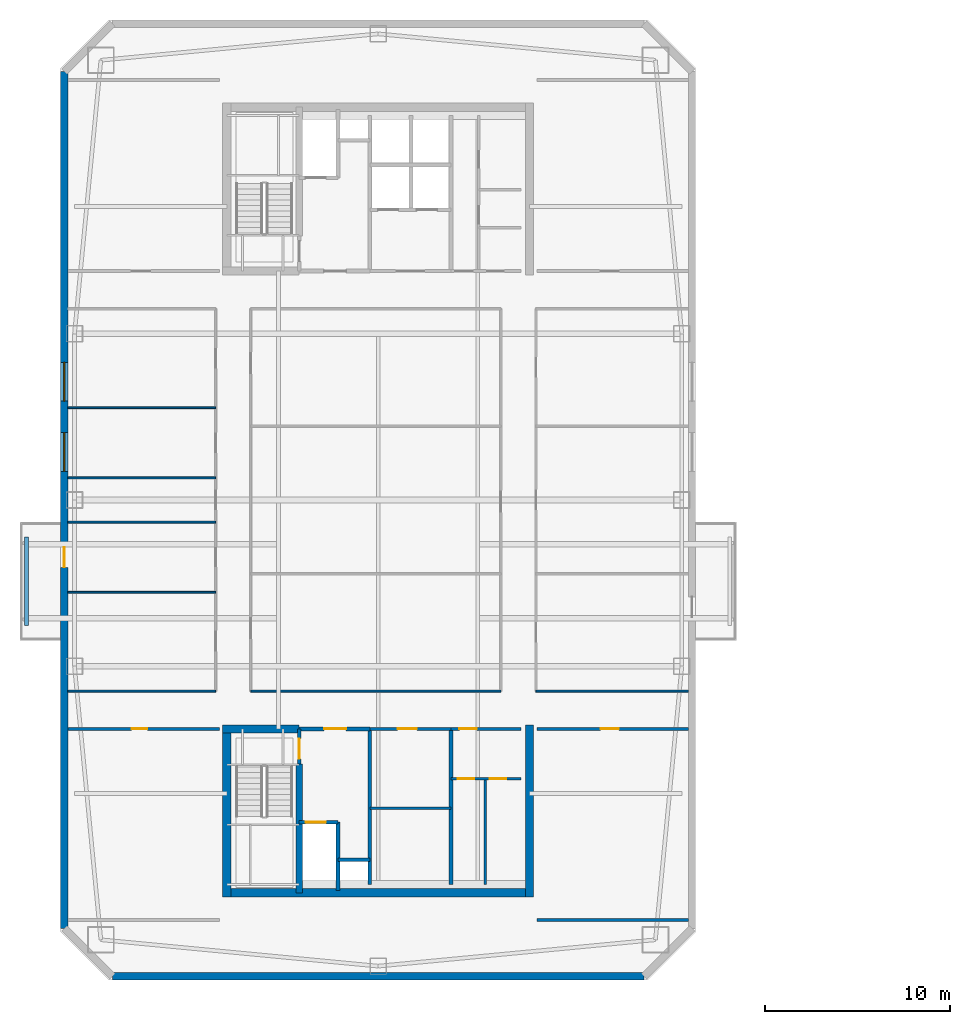
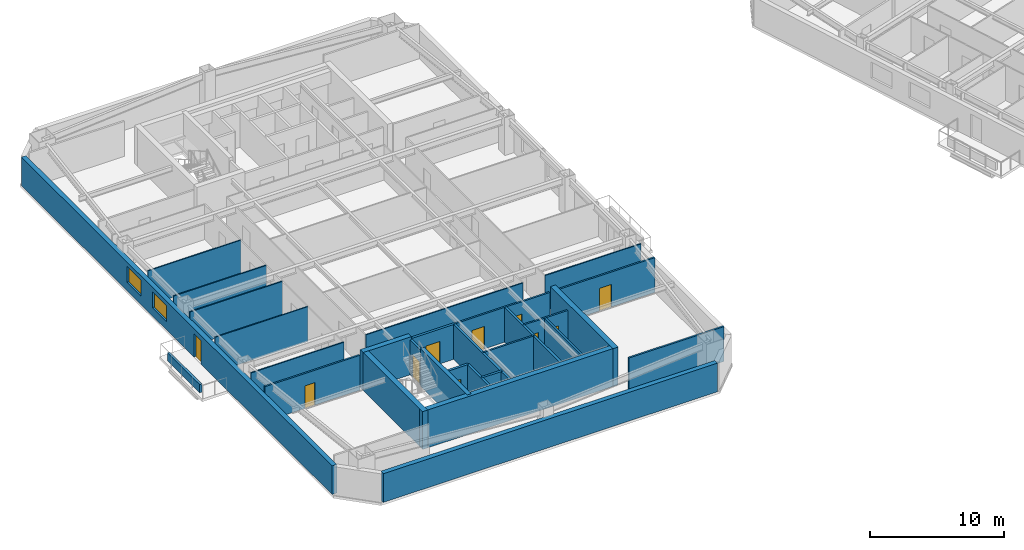
# One storey, part 5 of 15: 30 walls, 10 doors, 2 windows, 12 openings.
"""IFC4 building model written with IfcOpenShell, lengths in metres."""

from ifc_helpers import new_model, si_unit, direction, frame, frame_2d, origin, place, context, subcontext, project, spatial, rectangle, extrude, material, layer, layer_set, type_object, element, fill, save


model = new_model("IFC4")

# Units and contexts
model_context = context("Model", 3, precision=1e-05, world=origin(), true_north=direction((0.0, 1.0)))
body_context = subcontext(model_context, "Body", "Model", "MODEL_VIEW")
ifc_project = project(units=[si_unit("LENGTHUNIT", "METRE"), si_unit("AREAUNIT", "SQUARE_METRE"), si_unit("VOLUMEUNIT", "CUBIC_METRE"), si_unit("PLANEANGLEUNIT", "RADIAN"), si_unit("MASSUNIT", "GRAM", prefix="KILO")], contexts=[model_context])

# Site, building, storey
site_placement = place(None, origin())
site = spatial("IfcSite", under=ifc_project, at=site_placement, CompositionType="ELEMENT")
building_placement = place(site_placement, origin())
building = spatial("IfcBuilding", under=site, at=building_placement, Name="Qiaolan Cultural Towers", CompositionType="ELEMENT")
storey_placement = place(building_placement, frame((0.0, 0.0, 209.300048828125)))
storey = spatial("IfcBuildingStorey", under=building, at=storey_placement, Name="L56", CompositionType="ELEMENT", Elevation=209.300048828125)

# Walls
ifc_material_1 = material(Name="Concrete C50", Category="concrete")
ifc_layer_1 = layer(ifc_material_1, 0.35009765625)
ifc_layer_set_1 = layer_set([ifc_layer_1], Name="Concrete C50")
wall_type_1 = type_object("IfcWallType", Name="WL-CORE-350", PredefinedType="SHEAR", material=ifc_layer_set_1)
wall_1_placement = place(storey_placement, frame((25.719970703125, 19.699951171875, 0.0), z_axis=(0.0, 0.0, 1.0), x_axis=(0.0, -1.0, 0.0)))
element("IfcWall", 1, at=wall_1_placement, inside=storey, type_object=wall_type_1, Name="L56 T1-CS Stair Core Dividing Web", PredefinedType="SHEAR", context=body_context, shape_type="SweptSolid", body=[
    extrude(rectangle(XDim=6.97998046875, YDim=0.35009765625, at=frame_2d((3.489990234375, 0.0))), origin(), (0.0, 0.0, 1.0), 3.449951171875),
])
ifc_material_2 = material(Name="Concrete C50", Category="concrete")
ifc_layer_2 = layer(ifc_material_2, 0.449951171875)
ifc_layer_set_2 = layer_set([ifc_layer_2], Name="Concrete C50")
wall_type_2 = type_object("IfcWallType", Name="WL-CORE-450", PredefinedType="SHEAR", material=ifc_layer_set_2)
wall_2_placement = place(storey_placement, frame((21.574951171875, 12.719970703125, 0.0), z_axis=(0.0, 0.0, 1.0), x_axis=(1.0, 0.0, 0.0)))
element("IfcWall", 2, at=wall_2_placement, inside=storey, type_object=wall_type_2, Name="L56 T1-CS Outer Core Shear Wall", PredefinedType="SHEAR", context=body_context, shape_type="SweptSolid", body=[
    extrude(rectangle(XDim=16.85009765625, YDim=0.449951171875, at=frame_2d((8.425048828125, 0.0))), origin(), (0.0, 0.0, 1.0), 3.449951171875),
])
for number, where, z_axis, x_axis, name in (
    (3, (21.800048828125, 21.824951171875, 0.0), (0.0, 0.0, 1.0), (0.0, -1.0, 0.0), "L56 T1-CS West Core Shear Wall"),
    (4, (38.199951171875, 21.824951171875, 0.0), (0.0, 0.0, 1.0), (0.0, -1.0, 0.0), "L56 T1-CS East Core Shear Wall"),
):
    element("IfcWall", number, at=place(storey_placement, frame(where, z_axis=z_axis, x_axis=x_axis)), inside=storey, type_object=wall_type_2, Name=name, PredefinedType="SHEAR", context=body_context, shape_type="SweptSolid", body=[
        extrude(rectangle(XDim=9.329833984375, YDim=0.449951171875, at=frame_2d((4.6650390625, 0.0))), origin(), (0.0, 0.0, 1.0), 3.449951171875),
    ])
wall_3_placement = place(storey_placement, frame((21.574951171875, 21.60009765625, 0.0), z_axis=(0.0, 0.0, 1.0), x_axis=(1.0, 0.0, 0.0)))
element("IfcWall", 5, at=wall_3_placement, inside=storey, type_object=wall_type_2, Name="L56 T1-CS Stair Front Shear Wall", PredefinedType="SHEAR", context=body_context, shape_type="SweptSolid", body=[
    extrude(rectangle(XDim=4.14501953125, YDim=0.449951171875, at=frame_2d((2.072509765625, 0.0))), origin(), (0.0, 0.0, 1.0), 3.449951171875),
])

# Wall, openings, door, windows
ifc_material_3 = material(Name="Precast Concrete C50 Honed Stone Pier", Category="masonry")
ifc_layer_3 = layer(ifc_material_3, 0.39990234375)
ifc_layer_set_3 = layer_set([ifc_layer_3], Name="Precast Concrete C50 Honed Stone Pier")
wall_type_3 = type_object("IfcWallType", Name="WL-EXT-PIER-400", PredefinedType="SOLIDWALL", material=ifc_layer_set_3)
wall_4_placement = place(storey_placement, frame((13.0, 10.800048828125, 0.0), z_axis=(0.0, 0.0, 1.0), x_axis=(0.0, 1.0, 0.0)))
wall_4 = element("IfcWall", 6, at=wall_4_placement, inside=storey, type_object=wall_type_3, Name="L56 West Tower Precast Pier Facade Wall F1", PredefinedType="SOLIDWALL", context=body_context, shape_type="SweptSolid", body=[
    extrude(rectangle(XDim=46.39990234375, YDim=0.39990234375, at=frame_2d((23.199951171875, 0.0))), origin(), (0.0, 0.0, 1.0), 2.60986328125),
])
opening_1_placement = place(wall_4_placement, frame((24.75, 0.0, 0.75)))
opening_1 = element("IfcOpeningElement", 7, at=opening_1_placement, cuts=wall_4, Name="Opening W-05", PredefinedType="OPENING", context=body_context, shape_type="SweptSolid", body=[
    extrude(rectangle(XDim=2.10009765625, YDim=1.4599609375, at=frame_2d((1.050048828125, 0.72998046875))), frame((0.0, 0.2099609375, 0.0), z_axis=(0.0, -1.0, 0.0), x_axis=(1.0, 0.0, 0.0)), (0.0, 0.0, 1.0), 0.419921875),
])
opening_2_placement = place(wall_4_placement, frame((28.550048828125, 0.0, 0.75)))
opening_2 = element("IfcOpeningElement", 8, at=opening_2_placement, cuts=wall_4, Name="Opening W-05", PredefinedType="OPENING", context=body_context, shape_type="SweptSolid", body=[
    extrude(rectangle(XDim=2.10009765625, YDim=1.4599609375, at=frame_2d((1.050048828125, 0.72998046875))), frame((0.0, 0.2099609375, 0.0), z_axis=(0.0, -1.0, 0.0), x_axis=(1.0, 0.0, 0.0)), (0.0, 0.0, 1.0), 0.419921875),
])
opening_3_placement = place(wall_4_placement, frame((19.550048828125, 0.0, 0.0)))
opening_3 = element("IfcOpeningElement", 9, at=opening_3_placement, cuts=wall_4, Name="Opening BD-01", PredefinedType="OPENING", context=body_context, shape_type="SweptSolid", body=[
    extrude(rectangle(XDim=1.10009765625, YDim=2.14990234375, at=frame_2d((0.550048828125, 1.074951171875))), frame((0.0, 0.2099609375, 0.0), z_axis=(0.0, -1.0, 0.0), x_axis=(1.0, 0.0, 0.0)), (0.0, 0.0, 1.0), 0.419921875),
])
ifc_material_4 = material(Name="Thermally Broken Aluminium Glazed Terrace Door", Category="aluminium")
door_type_1 = type_object("IfcDoorType", Name="DR-BAL-1100", OperationType="NOTDEFINED", PredefinedType="DOOR", material=ifc_material_4)
door_1_placement = place(opening_3_placement, origin())
door_1 = element("IfcDoor", 10, at=door_1_placement, inside=storey, type_object=door_type_1, Name="L56 T1 West Tree Balcony Door", OperationType="SINGLE_SWING_LEFT", OverallHeight=2.14990234375, OverallWidth=1.10009765625, PredefinedType="DOOR", context=body_context, shape_type="SweptSolid", body=[
    extrude(rectangle(XDim=1.10009765625, YDim=2.14990234375, at=frame_2d((0.550048828125, 1.074951171875))), frame((0.0, 0.02490234375, 0.0), z_axis=(0.0, -1.0, 0.0), x_axis=(1.0, 0.0, 0.0)), (0.0, 0.0, 1.0), 0.050048828125),
])
fill(opening_3, door_1)
ifc_material_5 = material(Name="Thermally Broken Aluminium Triple Low-E Glazing", Category="aluminium")
window_type = type_object("IfcWindowType", Name="WN-CHIC-2100", PartitioningType="SINGLE_PANEL", PredefinedType="WINDOW", material=ifc_material_5)
window_1_placement = place(opening_1_placement, origin())
window_1 = element("IfcWindow", 11, at=window_1_placement, inside=storey, type_object=window_type, Name="L56 T1 W Chicago Bay Window 1", OverallHeight=1.4599609375, OverallWidth=2.10009765625, PartitioningType="TRIPLE_PANEL_VERTICAL", PredefinedType="WINDOW", context=body_context, shape_type="SweptSolid", body=[
    extrude(rectangle(XDim=2.10009765625, YDim=1.4599609375, at=frame_2d((1.050048828125, 0.72998046875))), frame((0.0, 0.030029296875, 0.0), z_axis=(0.0, -1.0, 0.0), x_axis=(1.0, 0.0, 0.0)), (0.0, 0.0, 1.0), 0.06005859375),
])
fill(opening_1, window_1)
window_2_placement = place(opening_2_placement, origin())
window_2 = element("IfcWindow", 12, at=window_2_placement, inside=storey, type_object=window_type, Name="L56 T1 W Chicago Bay Window 2", OverallHeight=1.4599609375, OverallWidth=2.10009765625, PartitioningType="TRIPLE_PANEL_VERTICAL", PredefinedType="WINDOW", context=body_context, shape_type="SweptSolid", body=[
    extrude(rectangle(XDim=2.10009765625, YDim=1.4599609375, at=frame_2d((1.050048828125, 0.72998046875))), frame((0.0, 0.030029296875, 0.0), z_axis=(0.0, -1.0, 0.0), x_axis=(1.0, 0.0, 0.0)), (0.0, 0.0, 1.0), 0.06005859375),
])
fill(opening_2, window_2)

# Wall
wall_5_placement = place(storey_placement, frame((44.39990234375, 8.199951171875, 0.0), z_axis=(0.0, 0.0, 1.0), x_axis=(-1.0, 0.0, 0.0)))
element("IfcWall", 13, at=wall_5_placement, inside=storey, type_object=wall_type_3, Name="L56 West Tower Precast Pier Facade Wall F7", PredefinedType="SOLIDWALL", context=body_context, shape_type="SweptSolid", body=[
    extrude(rectangle(XDim=28.7998046875, YDim=0.39990234375, at=frame_2d((14.39990234375, 0.0))), origin(), (0.0, 0.0, 1.0), 2.60986328125),
])

# Wall, opening, door
ifc_material_6 = material(Name="Concrete C35 Fire Wall", Category="concrete")
ifc_layer_4 = layer(ifc_material_6, 0.199951171875)
ifc_layer_set_4 = layer_set([ifc_layer_4], Name="Concrete C35 Fire Wall")
wall_type_4 = type_object("IfcWallType", Name="WL-FIRE-200", PredefinedType="PARTITIONING", material=ifc_layer_set_4)
wall_6_placement = place(storey_placement, frame((25.719970703125, 21.60009765625, 0.0), z_axis=(0.0, 0.0, 1.0), x_axis=(0.0, -1.0, 0.0)))
wall_6 = element("IfcWall", 14, at=wall_6_placement, inside=storey, type_object=wall_type_4, Name="L56 T1-CS Smokeproof Stair Entry Wall", PredefinedType="PARTITIONING", context=body_context, shape_type="SweptSolid", body=[
    extrude(rectangle(XDim=1.900146484375, YDim=0.199951171875, at=frame_2d((0.9501953125, 0.0))), origin(), (0.0, 0.0, 1.0), 3.175048828125),
])
opening_4_placement = place(wall_6_placement, frame((0.52001953125, 0.0, 0.0)))
opening_4 = element("IfcOpeningElement", 15, at=opening_4_placement, cuts=wall_6, Name="Opening FD-04", PredefinedType="OPENING", context=body_context, shape_type="SweptSolid", body=[
    extrude(rectangle(XDim=1.10009765625, YDim=2.050048828125, at=frame_2d((0.550048828125, 1.02490234375))), frame((0.0, 0.10986328125, 0.0), z_axis=(0.0, -1.0, 0.0), x_axis=(1.0, 0.0, 0.0)), (0.0, 0.0, 1.0), 0.219970703125),
])
ifc_material_7 = material(Name="Galvanized Steel Command Fire Door", Category="steel")
door_type_2 = type_object("IfcDoorType", Name="DR-FD90-1100", OperationType="NOTDEFINED", PredefinedType="DOOR", material=ifc_material_7)
door_2_placement = place(opening_4_placement, origin())
door_2 = element("IfcDoor", 16, at=door_2_placement, inside=storey, type_object=door_type_2, Name="L56 ST-W1 Smokeproof Stair Fire Door", OperationType="SINGLE_SWING_LEFT", OverallHeight=2.050048828125, OverallWidth=1.10009765625, PredefinedType="DOOR", context=body_context, shape_type="SweptSolid", body=[
    extrude(rectangle(XDim=1.10009765625, YDim=2.050048828125, at=frame_2d((0.550048828125, 1.02490234375))), frame((0.0, 0.02490234375, 0.0), z_axis=(0.0, -1.0, 0.0), x_axis=(1.0, 0.0, 0.0)), (0.0, 0.0, 1.0), 0.050048828125),
])
fill(opening_4, door_2)

# Wall
wall_7_placement = place(storey_placement, frame((29.550048828125, 21.60009765625, 0.0), z_axis=(0.0, 0.0, 1.0), x_axis=(0.0, -1.0, 0.0)))
element("IfcWall", 17, at=wall_7_placement, inside=storey, type_object=wall_type_4, Name="L56 T1-CS Firefighting Zone Wall", PredefinedType="PARTITIONING", context=body_context, shape_type="SweptSolid", body=[
    extrude(rectangle(XDim=8.43017578125, YDim=0.199951171875, at=frame_2d((4.215087890625, 0.0))), origin(), (0.0, 0.0, 1.0), 3.175048828125),
])

# Wall, opening, door
wall_8_placement = place(storey_placement, frame((25.719970703125, 21.60009765625, 0.0), z_axis=(0.0, 0.0, 1.0), x_axis=(1.0, 0.0, 0.0)))
wall_8 = element("IfcWall", 18, at=wall_8_placement, inside=storey, type_object=wall_type_4, Name="L56 T1-CS Firefighting Lobby Front Wall", PredefinedType="PARTITIONING", context=body_context, shape_type="SweptSolid", body=[
    extrude(rectangle(XDim=3.830078125, YDim=0.199951171875, at=frame_2d((1.9150390625, 0.0))), origin(), (0.0, 0.0, 1.0), 3.175048828125),
])
opening_5_placement = place(wall_8_placement, frame((1.35009765625, 0.0, 0.0)))
opening_5 = element("IfcOpeningElement", 19, at=opening_5_placement, cuts=wall_8, Name="Opening FD-03", PredefinedType="OPENING", context=body_context, shape_type="SweptSolid", body=[
    extrude(rectangle(XDim=1.199951171875, YDim=2.050048828125, at=frame_2d((0.60009765625, 1.02490234375))), frame((0.0, 0.10986328125, 0.0), z_axis=(0.0, -1.0, 0.0), x_axis=(1.0, 0.0, 0.0)), (0.0, 0.0, 1.0), 0.219970703125),
])
ifc_material_8 = material(Name="Galvanized Steel Smokeproof Lobby Fire Door", Category="steel")
door_type_3 = type_object("IfcDoorType", Name="DR-FD90-1200", OperationType="NOTDEFINED", PredefinedType="DOOR", material=ifc_material_8)
door_3_placement = place(opening_5_placement, origin())
door_3 = element("IfcDoor", 20, at=door_3_placement, inside=storey, type_object=door_type_3, Name="L56 FFL-W1 Firefighting Lobby Fire Door", OperationType="SINGLE_SWING_LEFT", OverallHeight=2.050048828125, OverallWidth=1.199951171875, PredefinedType="DOOR", context=body_context, shape_type="SweptSolid", body=[
    extrude(rectangle(XDim=1.199951171875, YDim=2.050048828125, at=frame_2d((0.60009765625, 1.02490234375))), frame((0.0, 0.02490234375, 0.0), z_axis=(0.0, -1.0, 0.0), x_axis=(1.0, 0.0, 0.0)), (0.0, 0.0, 1.0), 0.050048828125),
])
fill(opening_5, door_3)

wall_9_placement = place(storey_placement, frame((25.719970703125, 16.550048828125, 0.0), z_axis=(0.0, 0.0, 1.0), x_axis=(1.0, 0.0, 0.0)))
wall_9 = element("IfcWall", 21, at=wall_9_placement, inside=storey, type_object=wall_type_4, Name="L56 T1-CS Firefighting Shaft Front Wall", PredefinedType="PARTITIONING", context=body_context, shape_type="SweptSolid", body=[
    extrude(rectangle(XDim=2.10009765625, YDim=0.199951171875, at=frame_2d((1.050048828125, 0.0))), origin(), (0.0, 0.0, 1.0), 3.175048828125),
])
opening_6_placement = place(wall_9_placement, frame((0.35009765625, 0.0, 0.0)))
opening_6 = element("IfcOpeningElement", 22, at=opening_6_placement, cuts=wall_9, Name="Opening LD-01", PredefinedType="OPENING", context=body_context, shape_type="SweptSolid", body=[
    extrude(rectangle(XDim=1.10009765625, YDim=2.050048828125, at=frame_2d((0.550048828125, 1.02490234375))), frame((0.0, 0.10986328125, 0.0), z_axis=(0.0, -1.0, 0.0), x_axis=(1.0, 0.0, 0.0)), (0.0, 0.0, 1.0), 0.219970703125),
])
ifc_material_9 = material(Name="Brushed Stainless Steel S30408 Centre-Parting Lift Landing Door", Category="steel")
door_type_4 = type_object("IfcDoorType", Name="DR-LIFT-1100", OperationType="NOTDEFINED", PredefinedType="DOOR", material=ifc_material_9)
door_4_placement = place(opening_6_placement, origin())
door_4 = element("IfcDoor", 23, at=door_4_placement, inside=storey, type_object=door_type_4, Name="L56 FFL-W1 Firefighting Lift Landing Door", OperationType="DOUBLE_DOOR_SLIDING", OverallHeight=2.050048828125, OverallWidth=1.10009765625, PredefinedType="DOOR", context=body_context, shape_type="SweptSolid", body=[
    extrude(rectangle(XDim=1.10009765625, YDim=2.050048828125, at=frame_2d((0.550048828125, 1.02490234375))), frame((0.0, 0.02490234375, 0.0), z_axis=(0.0, -1.0, 0.0), x_axis=(1.0, 0.0, 0.0)), (0.0, 0.0, 1.0), 0.050048828125),
])
fill(opening_6, door_4)

# Walls
wall_10_placement = place(storey_placement, frame((27.820068359375, 16.550048828125, 0.0), z_axis=(0.0, 0.0, 1.0), x_axis=(0.0, -1.0, 0.0)))
element("IfcWall", 24, at=wall_10_placement, inside=storey, type_object=wall_type_4, Name="L56 T1-CS Firefighting Hoistway East Wall", PredefinedType="PARTITIONING", context=body_context, shape_type="SweptSolid", body=[
    extrude(rectangle(XDim=3.699951171875, YDim=0.199951171875, at=frame_2d((1.85009765625, 0.0))), origin(), (0.0, 0.0, 1.0), 3.175048828125),
])
wall_11_placement = place(storey_placement, frame((27.820068359375, 14.52001953125, 0.0), z_axis=(0.0, 0.0, 1.0), x_axis=(1.0, 0.0, 0.0)))
element("IfcWall", 25, at=wall_11_placement, inside=storey, type_object=wall_type_4, Name="L56 T1-CS Pressurization Shaft Front Wall", PredefinedType="PARTITIONING", context=body_context, shape_type="SweptSolid", body=[
    extrude(rectangle(XDim=1.72998046875, YDim=0.199951171875, at=frame_2d((0.864990234375, 0.0))), origin(), (0.0, 0.0, 1.0), 3.175048828125),
])
wall_12_placement = place(storey_placement, frame((33.949951171875, 21.60009765625, 0.0), z_axis=(0.0, 0.0, 1.0), x_axis=(0.0, -1.0, 0.0)))
element("IfcWall", 26, at=wall_12_placement, inside=storey, type_object=wall_type_4, Name="L56 T1-CS Lift Core East Wall", PredefinedType="PARTITIONING", context=body_context, shape_type="SweptSolid", body=[
    extrude(rectangle(XDim=8.43017578125, YDim=0.199951171875, at=frame_2d((4.215087890625, 0.0))), origin(), (0.0, 0.0, 1.0), 3.175048828125),
])
ifc_material_10 = material(Name="Acoustic Double-Glazed Partition Frame", Category="glass")
ifc_layer_5 = layer(ifc_material_10, 0.10009765625)
ifc_layer_set_5 = layer_set([ifc_layer_5], Name="Acoustic Double-Glazed Partition Frame")
wall_type_5 = type_object("IfcWallType", Name="WL-GLAZED-100", PredefinedType="MOVABLE", material=ifc_layer_set_5)
wall_13_placement = place(storey_placement, frame((13.199951171875, 23.64990234375, 0.0), z_axis=(0.0, 0.0, 1.0), x_axis=(1.0, 0.0, 0.0)))
element("IfcWall", 27, at=wall_13_placement, inside=storey, type_object=wall_type_5, Name="L56 T1 Interior Wall", PredefinedType="MOVABLE", context=body_context, shape_type="SweptSolid", body=[
    extrude(rectangle(XDim=8.0, YDim=0.10009765625, at=frame_2d((4.0, 0.0))), origin(), (0.0, 0.0, 1.0), 3.175048828125),
])
wall_14_placement = place(storey_placement, frame((23.10009765625, 23.64990234375, 0.0), z_axis=(0.0, 0.0, 1.0), x_axis=(1.0, 0.0, 0.0)))
element("IfcWall", 28, at=wall_14_placement, inside=storey, type_object=wall_type_5, Name="L56 T1 Interior Wall", PredefinedType="MOVABLE", context=body_context, shape_type="SweptSolid", body=[
    extrude(rectangle(XDim=13.5498046875, YDim=0.10009765625, at=frame_2d((6.77490234375, 0.0))), origin(), (0.0, 0.0, 1.0), 3.175048828125),
])
wall_15_placement = place(storey_placement, frame((38.550048828125, 23.64990234375, 0.0), z_axis=(0.0, 0.0, 1.0), x_axis=(1.0, 0.0, 0.0)))
element("IfcWall", 29, at=wall_15_placement, inside=storey, type_object=wall_type_5, Name="L56 T1 Interior Wall", PredefinedType="MOVABLE", context=body_context, shape_type="SweptSolid", body=[
    extrude(rectangle(XDim=8.25, YDim=0.10009765625, at=frame_2d((4.125, 0.0))), origin(), (0.0, 0.0, 1.0), 3.175048828125),
])
for number, where, z_axis, x_axis, name in (
    (30, (13.199951171875, 29.0, 0.0), (0.0, 0.0, 1.0), (1.0, 0.0, 0.0), "L56 T1 Interior Wall"),
    (31, (13.199951171875, 32.800048828125, 0.0), (0.0, 0.0, 1.0), (1.0, 0.0, 0.0), "L56 T1 Interior Wall"),
    (32, (13.199951171875, 35.199951171875, 0.0), (0.0, 0.0, 1.0), (1.0, 0.0, 0.0), "L56 T1 Interior Wall"),
    (33, (13.199951171875, 39.0, 0.0), (0.0, 0.0, 1.0), (1.0, 0.0, 0.0), "L56 T1 Interior Wall"),
):
    element("IfcWall", number, at=place(storey_placement, frame(where, z_axis=z_axis, x_axis=x_axis)), inside=storey, type_object=wall_type_5, Name=name, PredefinedType="MOVABLE", context=body_context, shape_type="SweptSolid", body=[
        extrude(rectangle(XDim=8.0, YDim=0.10009765625, at=frame_2d((4.0, 0.0))), origin(), (0.0, 0.0, 1.0), 3.175048828125),
    ])

# Wall, opening, door
ifc_material_11 = material(Name="Autoclaved Aerated Concrete Block B06", Category="concrete")
ifc_layer_6 = layer(ifc_material_11, 0.14990234375)
ifc_layer_set_6 = layer_set([ifc_layer_6], Name="Autoclaved Aerated Concrete Block B06")
wall_type_6 = type_object("IfcWallType", Name="WL-PART-150", PredefinedType="PARTITIONING", material=ifc_layer_set_6)
wall_16_placement = place(storey_placement, frame((29.550048828125, 21.60009765625, 0.0), z_axis=(0.0, 0.0, 1.0), x_axis=(1.0, 0.0, 0.0)))
wall_16 = element("IfcWall", 34, at=wall_16_placement, inside=storey, type_object=wall_type_6, Name="L56 T1-CS Reclaimed Core Room Front Wall", PredefinedType="PARTITIONING", context=body_context, shape_type="SweptSolid", body=[
    extrude(rectangle(XDim=4.39990234375, YDim=0.14990234375, at=frame_2d((2.199951171875, 0.0))), origin(), (0.0, 0.0, 1.0), 3.175048828125),
])
opening_7_placement = place(wall_16_placement, frame((1.5, 0.0, 0.0)))
opening_7 = element("IfcOpeningElement", 35, at=opening_7_placement, cuts=wall_16, Name="Opening ID-07", PredefinedType="OPENING", context=body_context, shape_type="SweptSolid", body=[
    extrude(rectangle(XDim=1.050048828125, YDim=2.050048828125, at=frame_2d((0.52490234375, 1.02490234375))), frame((0.0, 0.0849609375, 0.0), z_axis=(0.0, -1.0, 0.0), x_axis=(1.0, 0.0, 0.0)), (0.0, 0.0, 1.0), 0.169921875),
])
ifc_material_12 = material(Name="Oak Veneer Consultation Door", Category="timber")
door_type_5 = type_object("IfcDoorType", Name="DR-INT-1050", OperationType="NOTDEFINED", PredefinedType="DOOR", material=ifc_material_12)
door_5_placement = place(opening_7_placement, origin())
door_5 = element("IfcDoor", 36, at=door_5_placement, inside=storey, type_object=door_type_5, Name="L56 Focus Pod Room Door", OperationType="SINGLE_SWING_LEFT", OverallHeight=2.050048828125, OverallWidth=1.050048828125, PredefinedType="DOOR", context=body_context, shape_type="SweptSolid", body=[
    extrude(rectangle(XDim=1.050048828125, YDim=2.050048828125, at=frame_2d((0.52490234375, 1.02490234375))), frame((0.0, 0.02490234375, 0.0), z_axis=(0.0, -1.0, 0.0), x_axis=(1.0, 0.0, 0.0)), (0.0, 0.0, 1.0), 0.050048828125),
])
fill(opening_7, door_5)

# Wall
wall_17_placement = place(storey_placement, frame((29.550048828125, 17.300048828125, 0.0), z_axis=(0.0, 0.0, 1.0), x_axis=(1.0, 0.0, 0.0)))
element("IfcWall", 37, at=wall_17_placement, inside=storey, type_object=wall_type_6, Name="L56 T1-CS Reclaimed Room Subdivider", PredefinedType="PARTITIONING", context=body_context, shape_type="SweptSolid", body=[
    extrude(rectangle(XDim=4.39990234375, YDim=0.14990234375, at=frame_2d((2.199951171875, 0.0))), origin(), (0.0, 0.0, 1.0), 3.175048828125),
])

# Wall, opening, door
wall_18_placement = place(storey_placement, frame((33.949951171875, 21.60009765625, 0.0), z_axis=(0.0, 0.0, 1.0), x_axis=(1.0, 0.0, 0.0)))
wall_18 = element("IfcWall", 38, at=wall_18_placement, inside=storey, type_object=wall_type_6, Name="L56 T1-CS Sanitary Core Front Wall", PredefinedType="PARTITIONING", context=body_context, shape_type="SweptSolid", body=[
    extrude(rectangle(XDim=3.800048828125, YDim=0.14990234375, at=frame_2d((1.89990234375, 0.0))), origin(), (0.0, 0.0, 1.0), 3.175048828125),
])
opening_8_placement = place(wall_18_placement, frame((0.449951171875, 0.0, 0.0)))
opening_8 = element("IfcOpeningElement", 39, at=opening_8_placement, cuts=wall_18, Name="Opening ID-05", PredefinedType="OPENING", context=body_context, shape_type="SweptSolid", body=[
    extrude(rectangle(XDim=0.949951171875, YDim=2.050048828125, at=frame_2d((0.47509765625, 1.02490234375))), frame((0.0, 0.0849609375, 0.0), z_axis=(0.0, -1.0, 0.0), x_axis=(1.0, 0.0, 0.0)), (0.0, 0.0, 1.0), 0.169921875),
])
ifc_material_13 = material(Name="Fire-Rated Laminate Accessible Core Door", Category="timber")
door_type_6 = type_object("IfcDoorType", Name="DR-INT-950", OperationType="NOTDEFINED", PredefinedType="DOOR", material=ifc_material_13)
door_6_placement = place(opening_8_placement, origin())
door_6 = element("IfcDoor", 40, at=door_6_placement, inside=storey, type_object=door_type_6, Name="L56 Sanitary Vestibule Door", OperationType="SINGLE_SWING_LEFT", OverallHeight=2.050048828125, OverallWidth=0.949951171875, PredefinedType="DOOR", context=body_context, shape_type="SweptSolid", body=[
    extrude(rectangle(XDim=0.949951171875, YDim=2.050048828125, at=frame_2d((0.47509765625, 1.02490234375))), frame((0.0, 0.02490234375, 0.0), z_axis=(0.0, -1.0, 0.0), x_axis=(1.0, 0.0, 0.0)), (0.0, 0.0, 1.0), 0.050048828125),
])
fill(opening_8, door_6)

# Wall, openings, doors
wall_19_placement = place(storey_placement, frame((33.949951171875, 18.89990234375, 0.0), z_axis=(0.0, 0.0, 1.0), x_axis=(1.0, 0.0, 0.0)))
wall_19 = element("IfcWall", 41, at=wall_19_placement, inside=storey, type_object=wall_type_6, Name="L56 T1-CS Restroom Vestibule Wall", PredefinedType="PARTITIONING", context=body_context, shape_type="SweptSolid", body=[
    extrude(rectangle(XDim=3.800048828125, YDim=0.14990234375, at=frame_2d((1.89990234375, 0.0))), origin(), (0.0, 0.0, 1.0), 3.175048828125),
])
opening_9_placement = place(wall_19_placement, frame((0.35009765625, 0.0, 0.0)))
opening_9 = element("IfcOpeningElement", 42, at=opening_9_placement, cuts=wall_19, Name="Opening ID-06", PredefinedType="OPENING", context=body_context, shape_type="SweptSolid", body=[
    extrude(rectangle(XDim=0.89990234375, YDim=2.050048828125, at=frame_2d((0.449951171875, 1.02490234375))), frame((0.0, 0.0849609375, 0.0), z_axis=(0.0, -1.0, 0.0), x_axis=(1.0, 0.0, 0.0)), (0.0, 0.0, 1.0), 0.169921875),
])
opening_10_placement = place(wall_19_placement, frame((2.10009765625, 0.0, 0.0)))
opening_10 = element("IfcOpeningElement", 43, at=opening_10_placement, cuts=wall_19, Name="Opening ID-06", PredefinedType="OPENING", context=body_context, shape_type="SweptSolid", body=[
    extrude(rectangle(XDim=0.89990234375, YDim=2.050048828125, at=frame_2d((0.449951171875, 1.02490234375))), frame((0.0, 0.0849609375, 0.0), z_axis=(0.0, -1.0, 0.0), x_axis=(1.0, 0.0, 0.0)), (0.0, 0.0, 1.0), 0.169921875),
])
ifc_material_14 = material(Name="Fire-Rated Laminate Core Service Door", Category="timber")
door_type_7 = type_object("IfcDoorType", Name="DR-INT-900", OperationType="NOTDEFINED", PredefinedType="DOOR", material=ifc_material_14)
door_7_placement = place(opening_9_placement, origin())
door_7 = element("IfcDoor", 44, at=door_7_placement, inside=storey, type_object=door_type_7, Name="L56 Men Restroom Door", OperationType="SINGLE_SWING_LEFT", OverallHeight=2.050048828125, OverallWidth=0.89990234375, PredefinedType="DOOR", context=body_context, shape_type="SweptSolid", body=[
    extrude(rectangle(XDim=0.89990234375, YDim=2.050048828125, at=frame_2d((0.449951171875, 1.02490234375))), frame((0.0, 0.02490234375, 0.0), z_axis=(0.0, -1.0, 0.0), x_axis=(1.0, 0.0, 0.0)), (0.0, 0.0, 1.0), 0.050048828125),
])
fill(opening_9, door_7)
door_8_placement = place(opening_10_placement, origin())
door_8 = element("IfcDoor", 45, at=door_8_placement, inside=storey, type_object=door_type_7, Name="L56 Accessible & Women Restroom Door", OperationType="SINGLE_SWING_RIGHT", OverallHeight=2.050048828125, OverallWidth=0.89990234375, PredefinedType="DOOR", context=body_context, shape_type="SweptSolid", body=[
    extrude(rectangle(XDim=0.89990234375, YDim=2.050048828125, at=frame_2d((0.449951171875, 1.02490234375))), frame((0.0, 0.02490234375, 0.0), z_axis=(0.0, -1.0, 0.0), x_axis=(1.0, 0.0, 0.0)), (0.0, 0.0, 1.0), 0.050048828125),
])
fill(opening_10, door_8)

# Wall
wall_20_placement = place(storey_placement, frame((35.800048828125, 18.89990234375, 0.0), z_axis=(0.0, 0.0, 1.0), x_axis=(0.0, -1.0, 0.0)))
element("IfcWall", 46, at=wall_20_placement, inside=storey, type_object=wall_type_6, Name="L56 T1-CS Restroom Divider Wall", PredefinedType="PARTITIONING", context=body_context, shape_type="SweptSolid", body=[
    extrude(rectangle(XDim=5.72998046875, YDim=0.14990234375, at=frame_2d((2.864990234375, 0.0))), origin(), (0.0, 0.0, 1.0), 3.175048828125),
])

# Wall, opening, door
wall_21_placement = place(storey_placement, frame((13.199951171875, 21.60009765625, 0.0), z_axis=(0.0, 0.0, 1.0), x_axis=(1.0, 0.0, 0.0)))
wall_21 = element("IfcWall", 47, at=wall_21_placement, inside=storey, type_object=wall_type_6, Name="L56 T1 Flank Front FLK-SW", PredefinedType="PARTITIONING", context=body_context, shape_type="SweptSolid", body=[
    extrude(rectangle(XDim=8.199951171875, YDim=0.14990234375, at=frame_2d((4.10009765625, 0.0))), origin(), (0.0, 0.0, 1.0), 3.175048828125),
])
opening_11_placement = place(wall_21_placement, frame((3.444091796875, 0.0, 0.0)))
opening_11 = element("IfcOpeningElement", 48, at=opening_11_placement, cuts=wall_21, Name="Opening ID-09", PredefinedType="OPENING", context=body_context, shape_type="SweptSolid", body=[
    extrude(rectangle(XDim=0.85009765625, YDim=2.050048828125, at=frame_2d((0.425048828125, 1.02490234375))), frame((0.0, 0.0849609375, 0.0), z_axis=(0.0, -1.0, 0.0), x_axis=(1.0, 0.0, 0.0)), (0.0, 0.0, 1.0), 0.169921875),
])
ifc_material_15 = material(Name="Moisture-Resistant Laminate Utility Door", Category="timber")
door_type_8 = type_object("IfcDoorType", Name="DR-INT-850", OperationType="NOTDEFINED", PredefinedType="DOOR", material=ifc_material_15)
door_9_placement = place(opening_11_placement, origin())
door_9 = element("IfcDoor", 49, at=door_9_placement, inside=storey, type_object=door_type_8, Name="L56 T1 Corner Studio Door", OperationType="SINGLE_SWING_LEFT", OverallHeight=2.050048828125, OverallWidth=0.85009765625, PredefinedType="DOOR", context=body_context, shape_type="SweptSolid", body=[
    extrude(rectangle(XDim=0.85009765625, YDim=2.050048828125, at=frame_2d((0.425048828125, 1.02490234375))), frame((0.0, 0.02490234375, 0.0), z_axis=(0.0, -1.0, 0.0), x_axis=(1.0, 0.0, 0.0)), (0.0, 0.0, 1.0), 0.050048828125),
])
fill(opening_11, door_9)

# Wall
wall_22_placement = place(storey_placement, frame((38.60009765625, 11.25, 0.0), z_axis=(0.0, 0.0, 1.0), x_axis=(1.0, 0.0, 0.0)))
element("IfcWall", 50, at=wall_22_placement, inside=storey, type_object=wall_type_6, Name="L56 T1 Flank Wall FLK-SE", PredefinedType="PARTITIONING", context=body_context, shape_type="SweptSolid", body=[
    extrude(rectangle(XDim=8.199951171875, YDim=0.14990234375, at=frame_2d((4.10009765625, 0.0))), origin(), (0.0, 0.0, 1.0), 3.175048828125),
])

# Wall, opening, door
wall_23_placement = place(storey_placement, frame((38.60009765625, 21.60009765625, 0.0), z_axis=(0.0, 0.0, 1.0), x_axis=(1.0, 0.0, 0.0)))
wall_23 = element("IfcWall", 51, at=wall_23_placement, inside=storey, type_object=wall_type_6, Name="L56 T1 Flank Front FLK-SE", PredefinedType="PARTITIONING", context=body_context, shape_type="SweptSolid", body=[
    extrude(rectangle(XDim=8.199951171875, YDim=0.14990234375, at=frame_2d((4.10009765625, 0.0))), origin(), (0.0, 0.0, 1.0), 3.175048828125),
])
opening_12_placement = place(wall_23_placement, frame((3.444091796875, 0.0, 0.0)))
opening_12 = element("IfcOpeningElement", 52, at=opening_12_placement, cuts=wall_23, Name="Opening ID-04", PredefinedType="OPENING", context=body_context, shape_type="SweptSolid", body=[
    extrude(rectangle(XDim=1.0, YDim=2.050048828125, at=frame_2d((0.5, 1.02490234375))), frame((0.0, 0.0849609375, 0.0), z_axis=(0.0, -1.0, 0.0), x_axis=(1.0, 0.0, 0.0)), (0.0, 0.0, 1.0), 0.169921875),
])
ifc_material_16 = material(Name="Oak Veneer Acoustic Office Door", Category="timber")
door_type_9 = type_object("IfcDoorType", Name="DR-INT-1000", OperationType="NOTDEFINED", PredefinedType="DOOR", material=ifc_material_16)
door_10_placement = place(opening_12_placement, origin())
door_10 = element("IfcDoor", 53, at=door_10_placement, inside=storey, type_object=door_type_9, Name="L56 T1 Corner Studio Door", OperationType="SINGLE_SWING_LEFT", OverallHeight=2.050048828125, OverallWidth=1.0, PredefinedType="DOOR", context=body_context, shape_type="SweptSolid", body=[
    extrude(rectangle(XDim=1.0, YDim=2.050048828125, at=frame_2d((0.5, 1.02490234375))), frame((0.0, 0.02490234375, 0.0), z_axis=(0.0, -1.0, 0.0), x_axis=(1.0, 0.0, 0.0)), (0.0, 0.0, 1.0), 0.050048828125),
])
fill(opening_12, door_10)

# Wall
ifc_material_17 = material(Name="Precast Concrete C45 Tree Planter Upstand", Category="concrete")
ifc_layer_7 = layer(ifc_material_17, 0.199951171875)
ifc_layer_set_7 = layer_set([ifc_layer_7], Name="Precast Concrete C45 Tree Planter Upstand")
wall_type_7 = type_object("IfcWallType", Name="WL-PLANTER-200", PredefinedType="PARAPET", material=ifc_layer_set_7)
wall_24_placement = place(storey_placement, frame((10.949951171875, 27.199951171875, 0.0), z_axis=(0.0, 0.0, 1.0), x_axis=(0.0, 1.0, 0.0)))
element("IfcWall", 54, at=wall_24_placement, inside=storey, type_object=wall_type_7, Name="L56 T1 Tree Balcony Soil Planter Box W", PredefinedType="PARAPET", context=body_context, shape_type="SweptSolid", body=[
    extrude(rectangle(XDim=4.800048828125, YDim=0.199951171875, at=frame_2d((2.39990234375, 0.0))), origin(), (0.0, 0.0, 1.0), 0.75),
])

save(model, "model.ifc")
